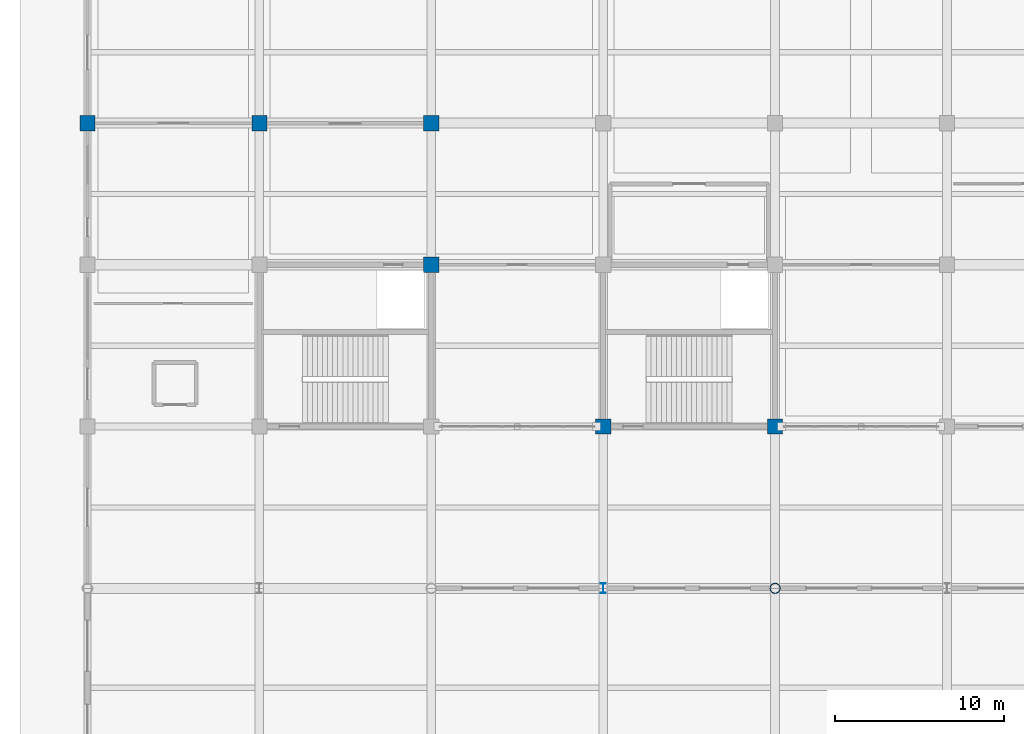
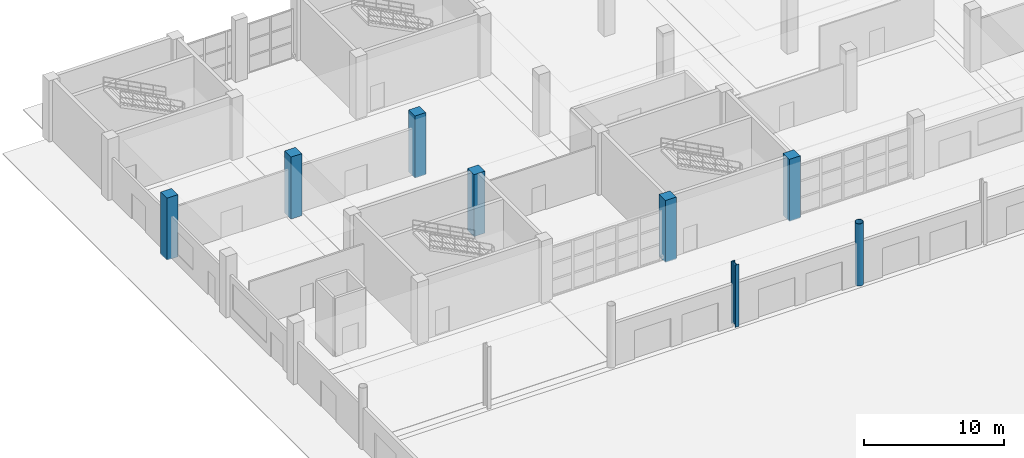
# One storey, part 6 of 124: 8 columns.
"""IFC4 building model written with IfcOpenShell, lengths in metres."""

import ifcopenshell
import ifcopenshell.guid

model = None  # the IFC model being written
_history = None  # IfcOwnerHistory: only IFC2X3 demands one
_inside = {}  # id of a spatial element -> (the spatial element, [elements in it])
_under = {}  # id of a project, library or spatial element -> (it, [spatial elements below it])
_declared = {}  # id of a project -> (the project, [libraries it declares])
_typed = {}  # id of a type object -> (the type object, [elements of that type])
_made_of = {}  # id of a material, layer set ... -> (it, [elements and type objects made of it])


def new_model(schema):
    """Start an empty IFC model of exactly this schema.

    Asked for "IFC4X3", IfcOpenShell would pick the latest addendum, in which some entities
    have other attributes; the version numbers below select the first issue.
    IFC2X3 requires an IfcOwnerHistory on every rooted entity: one is made here for all.
    """
    global model, _history
    if schema == "IFC4X3":
        model = ifcopenshell.file(schema_version=(4, 3, 0, 0))
    else:
        model = ifcopenshell.file(schema=schema)
    _inside.clear()
    _under.clear()
    _declared.clear()
    _typed.clear()
    _made_of.clear()
    _history = None
    if model.schema == "IFC2X3":
        org = make("IfcOrganization", Name="unknown")
        user = make(
            "IfcPersonAndOrganization",
            ThePerson=make("IfcPerson", FamilyName="unknown"),
            TheOrganization=org,
        )
        app = make(
            "IfcApplication",
            ApplicationDeveloper=org,
            Version="unknown",
            ApplicationFullName="unknown",
            ApplicationIdentifier="unknown",
        )
        _history = make(
            "IfcOwnerHistory",
            OwningUser=user,
            OwningApplication=app,
            ChangeAction="ADDED",
            CreationDate=0,
        )
    return model


def make(cls, **values):
    """One entity of the class cls with the attributes given. An attribute that is None is left unset."""
    return model.create_entity(
        cls, **{name: value for name, value in values.items() if value is not None}
    )


def rooted(cls, **values):
    """An entity with a GlobalId (a new one), such as an element, a storey or a relation."""
    return make(cls, GlobalId=ifcopenshell.guid.new(), OwnerHistory=_history, **values)


def si_unit(unit_type, name, prefix=None):
    """IfcSIUnit, for example si_unit("LENGTHUNIT", "METRE", prefix="MILLI")."""
    return make("IfcSIUnit", UnitType=unit_type, Prefix=prefix, Name=name)


def assignment(units):
    """IfcUnitAssignment: the units of a project."""
    return None if units is None else make("IfcUnitAssignment", Units=units)


def point(xyz):
    """IfcCartesianPoint."""
    return None if xyz is None else make("IfcCartesianPoint", Coordinates=xyz)


def direction(xyz):
    """IfcDirection."""
    return None if xyz is None else make("IfcDirection", DirectionRatios=xyz)


def frame(location, z_axis=None, x_axis=None):
    """IfcAxis2Placement3D, a coordinate frame: its origin and axes. An axis left out is left unset."""
    return make(
        "IfcAxis2Placement3D",
        Location=point(location),
        Axis=direction(z_axis),
        RefDirection=direction(x_axis),
    )


def frame_2d(location, x_axis=None):
    """IfcAxis2Placement2D, a coordinate frame in the plane: its origin and x axis."""
    return make(
        "IfcAxis2Placement2D", Location=point(location), RefDirection=direction(x_axis)
    )


def origin():
    """The frame at (0, 0, 0) with its axes left unset."""
    return frame((0.0, 0.0, 0.0))


def origin_2d():
    """The frame at (0, 0) in the plane with its x axis left unset."""
    return frame_2d((0.0, 0.0))


def place(relative_to, where):
    """IfcLocalPlacement: puts the frame where relative to a parent placement (None: the world)."""
    return make(
        "IfcLocalPlacement", PlacementRelTo=relative_to, RelativePlacement=where
    )


def context(
    kind, dimensions, precision=None, world=None, true_north=None, identifier=None
):
    """IfcGeometricRepresentationContext, for example the 3D "Model" context."""
    return make(
        "IfcGeometricRepresentationContext",
        ContextIdentifier=identifier,
        ContextType=kind,
        CoordinateSpaceDimension=dimensions,
        Precision=precision,
        WorldCoordinateSystem=world,
        TrueNorth=true_north,
    )


def subcontext(parent, identifier, kind, view, scale=None):
    """IfcGeometricRepresentationSubContext, for example "Body" below "Model"."""
    return make(
        "IfcGeometricRepresentationSubContext",
        ContextIdentifier=identifier,
        ContextType=kind,
        ParentContext=parent,
        TargetScale=scale,
        TargetView=view,
    )


def project(units=None, contexts=None):
    """IfcProject with its units and contexts."""
    return rooted(
        "IfcProject",
        Name="project",
        RepresentationContexts=contexts,
        UnitsInContext=assignment(units),
    )


def spatial(cls, under=None, at=None, **own):
    """A site, building, storey or space (cls), placed at a placement, below another one or the project."""
    s = rooted(cls, ObjectPlacement=at, **own)
    if under is not None:
        _under.setdefault(under.id(), (under, []))[1].append(s)
    return s


def profile(cls, at=None, kind="AREA", **sizes):
    """A parametric profile (cls). Its sizes go by their IFC names, for example OverallWidth=200.0."""
    return make(cls, ProfileType=kind, Position=at, **sizes)


def rectangle(**sizes):
    """IfcRectangleProfileDef."""
    return profile("IfcRectangleProfileDef", **sizes)


def hollow_circle(**sizes):
    """IfcCircleHollowProfileDef."""
    return profile("IfcCircleHollowProfileDef", **sizes)


def i_section(**sizes):
    """IfcIShapeProfileDef."""
    return profile("IfcIShapeProfileDef", **sizes)


def extrude(swept, where, along, depth):
    """IfcExtrudedAreaSolid: the profile swept, set in the frame where, extruded along a direction by depth."""
    return make(
        "IfcExtrudedAreaSolid",
        SweptArea=swept,
        Position=where,
        ExtrudedDirection=direction(along),
        Depth=depth,
    )


def shape(context_of_items, identifier, shape_type, items):
    """IfcShapeRepresentation: the items that make up one representation, for example the "Body"."""
    return make(
        "IfcShapeRepresentation",
        ContextOfItems=context_of_items,
        RepresentationIdentifier=identifier,
        RepresentationType=shape_type,
        Items=items,
    )


def material(Name=None, Category=None):
    """IfcMaterial."""
    return make("IfcMaterial", Name=Name, Category=Category)


def material_profile(
    of_material, cross_section, Name=None, Category=None, Priority=None
):
    """IfcMaterialProfile: a cross section and its material."""
    return make(
        "IfcMaterialProfile",
        Name=Name,
        Material=of_material,
        Profile=cross_section,
        Priority=Priority,
        Category=Category,
    )


def profile_set(profiles, Name=None, composite=None):
    """IfcMaterialProfileSet."""
    return make(
        "IfcMaterialProfileSet",
        Name=Name,
        MaterialProfiles=profiles,
        CompositeProfile=composite,
    )


def made_of(thing, what):
    """Note that an element or type object is made of a material, layer set ...; save() writes the relation."""
    if what is not None:
        _made_of.setdefault(what.id(), (what, []))[1].append(thing)
    return thing


def type_object(cls, material=None, **own):
    """A type object (cls), such as IfcWallType, which elements share."""
    return made_of(rooted(cls, **own), material)


def element(
    cls,
    number,
    at=None,
    inside=None,
    cuts=None,
    type_object=None,
    material=None,
    context=None,
    identifier="Body",
    shape_type=None,
    held_by="IfcProductDefinitionShape",
    body=None,
    shapes=None,
    **own,
):
    """One element of the class cls, such as IfcWall. Its Tag is "e" and its number.

    at: its placement. inside: the storey or other place that contains it. cuts: it is an
    opening in that element (IfcRelVoidsElement). A single representation is given by context,
    identifier, shape_type and body (its items); several are given by shapes. held_by: the class
    of the entity that holds the representations. save() writes the other relations.
    """
    e = rooted(cls, Tag="e%d" % number, ObjectPlacement=at, **own)
    if body is not None:
        shapes = [shape(context, identifier, shape_type, body)]
    if shapes is not None:
        e.Representation = make(held_by, Representations=shapes)
    if inside is not None:
        _inside.setdefault(inside.id(), (inside, []))[1].append(e)
    if cuts is not None:
        rooted(
            "IfcRelVoidsElement", RelatingBuildingElement=cuts, RelatedOpeningElement=e
        )
    if type_object is not None:
        _typed.setdefault(type_object.id(), (type_object, []))[1].append(e)
    return made_of(e, material)


def aggregate(whole, parts):
    """IfcRelAggregates: a whole, such as a stair, and the parts it consists of."""
    return rooted("IfcRelAggregates", RelatingObject=whole, RelatedObjects=parts)


def save(model, path):
    """Write the relations noted so far, then the file.

    IfcRelAggregates (storeys below a building ...), IfcRelContainedInSpatialStructure (elements
    in a storey), IfcRelDefinesByType, IfcRelAssociatesMaterial and IfcRelDeclares: one each for
    every whole, place, type object, material and project.
    """
    for whole, parts in _under.values():
        aggregate(whole, parts)
    for where, things in _inside.values():
        rooted(
            "IfcRelContainedInSpatialStructure",
            RelatedElements=things,
            RelatingStructure=where,
        )
    for kind, things in _typed.values():
        rooted("IfcRelDefinesByType", RelatedObjects=things, RelatingType=kind)
    for what, things in _made_of.values():
        rooted("IfcRelAssociatesMaterial", RelatedObjects=things, RelatingMaterial=what)
    for by, libraries in _declared.values():
        rooted("IfcRelDeclares", RelatingContext=by, RelatedDefinitions=libraries)
    model.write(path)


model = new_model("IFC4")

# Units and contexts
model_context = context("Model", 3, precision=1e-05, world=origin(), true_north=direction((0.0, 1.0)))
body_context = subcontext(model_context, "Body", "Model", "MODEL_VIEW")
ifc_project = project(units=[si_unit("LENGTHUNIT", "METRE"), si_unit("AREAUNIT", "SQUARE_METRE"), si_unit("VOLUMEUNIT", "CUBIC_METRE"), si_unit("PLANEANGLEUNIT", "RADIAN"), si_unit("MASSUNIT", "GRAM", prefix="KILO")], contexts=[model_context])

# Site, building, storey
site_placement = place(None, origin())
site = spatial("IfcSite", under=ifc_project, at=site_placement, CompositionType="ELEMENT")
building_placement = place(site_placement, origin())
building = spatial("IfcBuilding", under=site, at=building_placement, Name="Brelvane Convention Centre", CompositionType="ELEMENT")
storey_placement = place(building_placement, origin())
storey = spatial("IfcBuildingStorey", under=building, at=storey_placement, Name="L00", CompositionType="ELEMENT", Elevation=0.0)

# Columns
ifc_material_1 = material(Name="Concrete M50", Category="concrete")
ifc_material_profile_1 = material_profile(ifc_material_1, rectangle(XDim=0.89990234375, YDim=0.89990234375, at=origin_2d()), Name="RC 900x900")
ifc_profile_set_1 = profile_set([ifc_material_profile_1], Name="Concrete M50")
column_type_1 = type_object("IfcColumnType", Name="RC Column C-RC2 (RC 900x900)", PredefinedType="COLUMN", material=ifc_profile_set_1)
for number, where, z_axis, x_axis, name in (
    (1, (0.0, 127.199951171875, 0.0), (0.0, 0.0, 1.0), (1.0, 0.0, 0.0), "Column 1-N (L00)"),
    (2, (10.199951171875, 127.199951171875, 0.0), (0.0, 0.0, 1.0), (1.0, 0.0, 0.0), "Column 2-N (L00)"),
    (3, (20.39990234375, 118.800048828125, 0.0), (0.0, 0.0, 1.0), (1.0, 0.0, 0.0), "Column 3-M (L00)"),
    (4, (20.39990234375, 127.199951171875, 0.0), (0.0, 0.0, 1.0), (1.0, 0.0, 0.0), "Column 3-N (L00)"),
    (5, (30.60009765625, 109.199951171875, 0.0), (0.0, 0.0, 1.0), (1.0, 0.0, 0.0), "Column 4-L (L00)"),
    (6, (40.800048828125, 109.199951171875, 0.0), (0.0, 0.0, 1.0), (1.0, 0.0, 0.0), "Column 5-L (L00)"),
):
    element("IfcColumn", number, at=place(storey_placement, frame(where, z_axis=z_axis, x_axis=x_axis)), inside=storey, type_object=column_type_1, Name=name, PredefinedType="COLUMN", context=body_context, shape_type="SweptSolid", body=[
        extrude(rectangle(XDim=0.89990234375, YDim=0.89990234375, at=origin_2d()), origin(), (0.0, 0.0, 1.0), 5.39990234375),
    ])
ifc_material_2 = material(Name="Steel E450 (450 MPa)", Category="steel")
ifc_material_profile_2 = material_profile(ifc_material_2, hollow_circle(Radius=0.304931640625, WallThickness=0.02490234375, at=origin_2d()), Name="CHS 610.0x25.0")
ifc_profile_set_2 = profile_set([ifc_material_profile_2], Name="Steel E450 (450 MPa)")
column_type_2 = type_object("IfcColumnType", Name="Steel Column C-ST1 (CHS 610.0x25.0)", PredefinedType="COLUMN", material=ifc_profile_set_2)
column_1_placement = place(storey_placement, frame((40.800048828125, 99.60009765625, 0.0), z_axis=(0.0, 0.0, 1.0), x_axis=(1.0, 0.0, 0.0)))
element("IfcColumn", 7, at=column_1_placement, inside=storey, type_object=column_type_2, Name="Column 5-K (L00)", PredefinedType="COLUMN", context=body_context, shape_type="SweptSolid", body=[
    extrude(hollow_circle(Radius=0.304931640625, WallThickness=0.02490234375, at=origin_2d()), origin(), (0.0, 0.0, 1.0), 5.39990234375),
])
ifc_material_3 = material(Name="Steel E450 (450 MPa)", Category="steel")
ifc_material_profile_3 = material_profile(ifc_material_3, i_section(OverallWidth=0.300048828125, OverallDepth=0.60009765625, WebThickness=0.015380859375, FlangeThickness=0.030029296875, FilletRadius=0.027099609375, at=origin_2d()), Name="WPB 600x300")
ifc_profile_set_3 = profile_set([ifc_material_profile_3], Name="Steel E450 (450 MPa)")
column_type_3 = type_object("IfcColumnType", Name="Steel Column C-ST5 (WPB 600x300)", PredefinedType="COLUMN", material=ifc_profile_set_3)
column_2_placement = place(storey_placement, frame((30.60009765625, 99.60009765625, 0.0), z_axis=(0.0, 0.0, 1.0), x_axis=(1.0, 0.0, 0.0)))
element("IfcColumn", 8, at=column_2_placement, inside=storey, type_object=column_type_3, Name="Column 4-K (L00)", PredefinedType="COLUMN", context=body_context, shape_type="SweptSolid", body=[
    extrude(i_section(OverallWidth=0.300048828125, OverallDepth=0.60009765625, WebThickness=0.015380859375, FlangeThickness=0.030029296875, FilletRadius=0.027099609375, at=origin_2d()), origin(), (0.0, 0.0, 1.0), 5.39990234375),
])

save(model, "model.ifc")
